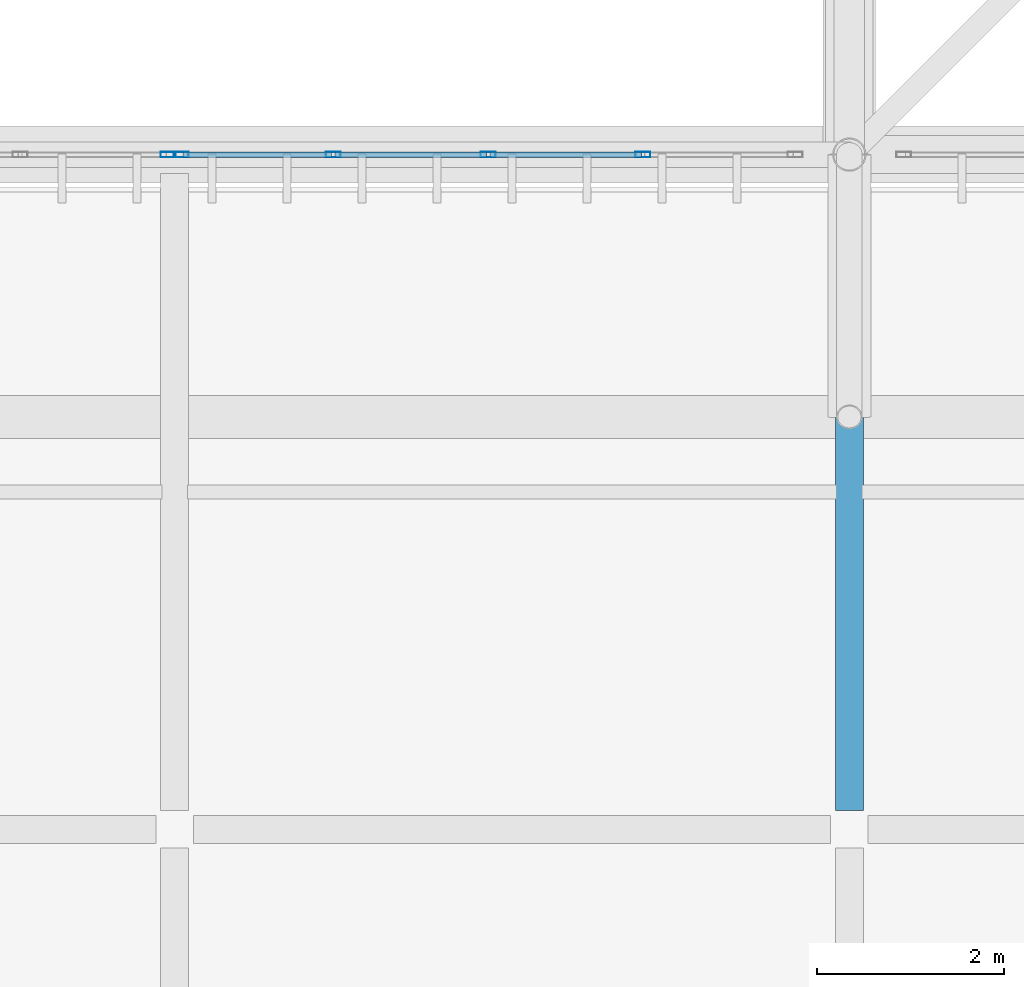
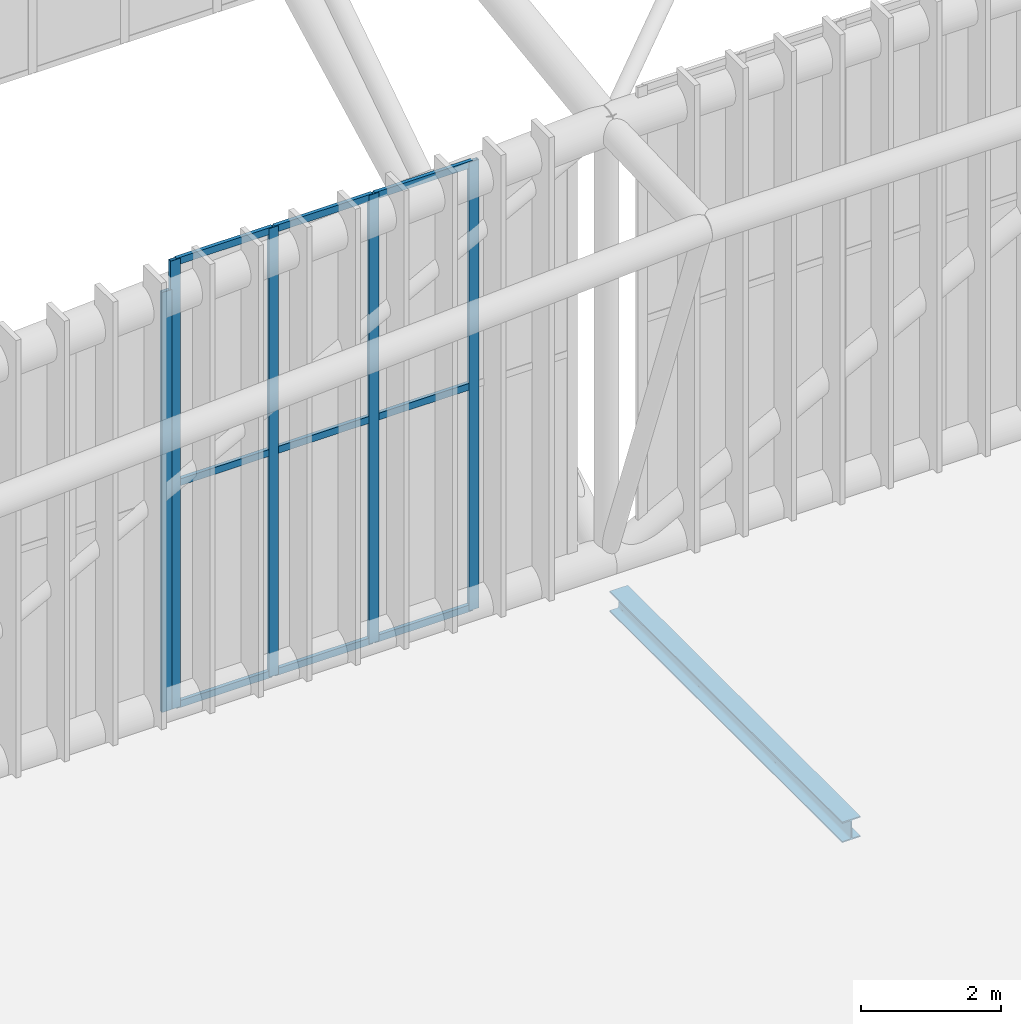
# One storey, part 26 of 397: 14 members, 1 beam, 2 elements without a shape of their own.
"""IFC4 building model written with IfcOpenShell, lengths in metres."""

import ifcopenshell
import ifcopenshell.guid

model = None  # the IFC model being written
_history = None  # IfcOwnerHistory: only IFC2X3 demands one
_inside = {}  # id of a spatial element -> (the spatial element, [elements in it])
_under = {}  # id of a project, library or spatial element -> (it, [spatial elements below it])
_declared = {}  # id of a project -> (the project, [libraries it declares])
_typed = {}  # id of a type object -> (the type object, [elements of that type])
_made_of = {}  # id of a material, layer set ... -> (it, [elements and type objects made of it])


def new_model(schema):
    """Start an empty IFC model of exactly this schema.

    Asked for "IFC4X3", IfcOpenShell would pick the latest addendum, in which some entities
    have other attributes; the version numbers below select the first issue.
    IFC2X3 requires an IfcOwnerHistory on every rooted entity: one is made here for all.
    """
    global model, _history
    if schema == "IFC4X3":
        model = ifcopenshell.file(schema_version=(4, 3, 0, 0))
    else:
        model = ifcopenshell.file(schema=schema)
    _inside.clear()
    _under.clear()
    _declared.clear()
    _typed.clear()
    _made_of.clear()
    _history = None
    if model.schema == "IFC2X3":
        org = make("IfcOrganization", Name="unknown")
        user = make(
            "IfcPersonAndOrganization",
            ThePerson=make("IfcPerson", FamilyName="unknown"),
            TheOrganization=org,
        )
        app = make(
            "IfcApplication",
            ApplicationDeveloper=org,
            Version="unknown",
            ApplicationFullName="unknown",
            ApplicationIdentifier="unknown",
        )
        _history = make(
            "IfcOwnerHistory",
            OwningUser=user,
            OwningApplication=app,
            ChangeAction="ADDED",
            CreationDate=0,
        )
    return model


def make(cls, **values):
    """One entity of the class cls with the attributes given. An attribute that is None is left unset."""
    return model.create_entity(
        cls, **{name: value for name, value in values.items() if value is not None}
    )


def rooted(cls, **values):
    """An entity with a GlobalId (a new one), such as an element, a storey or a relation."""
    return make(cls, GlobalId=ifcopenshell.guid.new(), OwnerHistory=_history, **values)


def si_unit(unit_type, name, prefix=None):
    """IfcSIUnit, for example si_unit("LENGTHUNIT", "METRE", prefix="MILLI")."""
    return make("IfcSIUnit", UnitType=unit_type, Prefix=prefix, Name=name)


def assignment(units):
    """IfcUnitAssignment: the units of a project."""
    return None if units is None else make("IfcUnitAssignment", Units=units)


def point(xyz):
    """IfcCartesianPoint."""
    return None if xyz is None else make("IfcCartesianPoint", Coordinates=xyz)


def direction(xyz):
    """IfcDirection."""
    return None if xyz is None else make("IfcDirection", DirectionRatios=xyz)


def frame(location, z_axis=None, x_axis=None):
    """IfcAxis2Placement3D, a coordinate frame: its origin and axes. An axis left out is left unset."""
    return make(
        "IfcAxis2Placement3D",
        Location=point(location),
        Axis=direction(z_axis),
        RefDirection=direction(x_axis),
    )


def frame_2d(location, x_axis=None):
    """IfcAxis2Placement2D, a coordinate frame in the plane: its origin and x axis."""
    return make(
        "IfcAxis2Placement2D", Location=point(location), RefDirection=direction(x_axis)
    )


def origin():
    """The frame at (0, 0, 0) with its axes left unset."""
    return frame((0.0, 0.0, 0.0))


def origin_2d():
    """The frame at (0, 0) in the plane with its x axis left unset."""
    return frame_2d((0.0, 0.0))


def place(relative_to, where):
    """IfcLocalPlacement: puts the frame where relative to a parent placement (None: the world)."""
    return make(
        "IfcLocalPlacement", PlacementRelTo=relative_to, RelativePlacement=where
    )


def context(
    kind, dimensions, precision=None, world=None, true_north=None, identifier=None
):
    """IfcGeometricRepresentationContext, for example the 3D "Model" context."""
    return make(
        "IfcGeometricRepresentationContext",
        ContextIdentifier=identifier,
        ContextType=kind,
        CoordinateSpaceDimension=dimensions,
        Precision=precision,
        WorldCoordinateSystem=world,
        TrueNorth=true_north,
    )


def subcontext(parent, identifier, kind, view, scale=None):
    """IfcGeometricRepresentationSubContext, for example "Body" below "Model"."""
    return make(
        "IfcGeometricRepresentationSubContext",
        ContextIdentifier=identifier,
        ContextType=kind,
        ParentContext=parent,
        TargetScale=scale,
        TargetView=view,
    )


def project(units=None, contexts=None):
    """IfcProject with its units and contexts."""
    return rooted(
        "IfcProject",
        Name="project",
        RepresentationContexts=contexts,
        UnitsInContext=assignment(units),
    )


def spatial(cls, under=None, at=None, **own):
    """A site, building, storey or space (cls), placed at a placement, below another one or the project."""
    s = rooted(cls, ObjectPlacement=at, **own)
    if under is not None:
        _under.setdefault(under.id(), (under, []))[1].append(s)
    return s


def profile(cls, at=None, kind="AREA", **sizes):
    """A parametric profile (cls). Its sizes go by their IFC names, for example OverallWidth=200.0."""
    return make(cls, ProfileType=kind, Position=at, **sizes)


def hollow_rectangle(**sizes):
    """IfcRectangleHollowProfileDef."""
    return profile("IfcRectangleHollowProfileDef", **sizes)


def i_section(**sizes):
    """IfcIShapeProfileDef."""
    return profile("IfcIShapeProfileDef", **sizes)


def extrude(swept, where, along, depth):
    """IfcExtrudedAreaSolid: the profile swept, set in the frame where, extruded along a direction by depth."""
    return make(
        "IfcExtrudedAreaSolid",
        SweptArea=swept,
        Position=where,
        ExtrudedDirection=direction(along),
        Depth=depth,
    )


def shape(context_of_items, identifier, shape_type, items):
    """IfcShapeRepresentation: the items that make up one representation, for example the "Body"."""
    return make(
        "IfcShapeRepresentation",
        ContextOfItems=context_of_items,
        RepresentationIdentifier=identifier,
        RepresentationType=shape_type,
        Items=items,
    )


def material(Name=None, Category=None):
    """IfcMaterial."""
    return make("IfcMaterial", Name=Name, Category=Category)


def material_profile(
    of_material, cross_section, Name=None, Category=None, Priority=None
):
    """IfcMaterialProfile: a cross section and its material."""
    return make(
        "IfcMaterialProfile",
        Name=Name,
        Material=of_material,
        Profile=cross_section,
        Priority=Priority,
        Category=Category,
    )


def profile_set(profiles, Name=None, composite=None):
    """IfcMaterialProfileSet."""
    return make(
        "IfcMaterialProfileSet",
        Name=Name,
        MaterialProfiles=profiles,
        CompositeProfile=composite,
    )


def made_of(thing, what):
    """Note that an element or type object is made of a material, layer set ...; save() writes the relation."""
    if what is not None:
        _made_of.setdefault(what.id(), (what, []))[1].append(thing)
    return thing


def type_object(cls, material=None, **own):
    """A type object (cls), such as IfcWallType, which elements share."""
    return made_of(rooted(cls, **own), material)


def element(
    cls,
    number,
    at=None,
    inside=None,
    cuts=None,
    type_object=None,
    material=None,
    context=None,
    identifier="Body",
    shape_type=None,
    held_by="IfcProductDefinitionShape",
    body=None,
    shapes=None,
    **own,
):
    """One element of the class cls, such as IfcWall. Its Tag is "e" and its number.

    at: its placement. inside: the storey or other place that contains it. cuts: it is an
    opening in that element (IfcRelVoidsElement). A single representation is given by context,
    identifier, shape_type and body (its items); several are given by shapes. held_by: the class
    of the entity that holds the representations. save() writes the other relations.
    """
    e = rooted(cls, Tag="e%d" % number, ObjectPlacement=at, **own)
    if body is not None:
        shapes = [shape(context, identifier, shape_type, body)]
    if shapes is not None:
        e.Representation = make(held_by, Representations=shapes)
    if inside is not None:
        _inside.setdefault(inside.id(), (inside, []))[1].append(e)
    if cuts is not None:
        rooted(
            "IfcRelVoidsElement", RelatingBuildingElement=cuts, RelatedOpeningElement=e
        )
    if type_object is not None:
        _typed.setdefault(type_object.id(), (type_object, []))[1].append(e)
    return made_of(e, material)


def aggregate(whole, parts):
    """IfcRelAggregates: a whole, such as a stair, and the parts it consists of."""
    return rooted("IfcRelAggregates", RelatingObject=whole, RelatedObjects=parts)


def save(model, path):
    """Write the relations noted so far, then the file.

    IfcRelAggregates (storeys below a building ...), IfcRelContainedInSpatialStructure (elements
    in a storey), IfcRelDefinesByType, IfcRelAssociatesMaterial and IfcRelDeclares: one each for
    every whole, place, type object, material and project.
    """
    for whole, parts in _under.values():
        aggregate(whole, parts)
    for where, things in _inside.values():
        rooted(
            "IfcRelContainedInSpatialStructure",
            RelatedElements=things,
            RelatingStructure=where,
        )
    for kind, things in _typed.values():
        rooted("IfcRelDefinesByType", RelatedObjects=things, RelatingType=kind)
    for what, things in _made_of.values():
        rooted("IfcRelAssociatesMaterial", RelatedObjects=things, RelatingMaterial=what)
    for by, libraries in _declared.values():
        rooted("IfcRelDeclares", RelatingContext=by, RelatedDefinitions=libraries)
    model.write(path)


model = new_model("IFC4")

# Units and contexts
model_context = context("Model", 3, precision=1e-05, world=origin(), true_north=direction((0.0, 1.0)))
body_context = subcontext(model_context, "Body", "Model", "MODEL_VIEW")
ifc_project = project(units=[si_unit("LENGTHUNIT", "METRE"), si_unit("AREAUNIT", "SQUARE_METRE"), si_unit("VOLUMEUNIT", "CUBIC_METRE"), si_unit("PLANEANGLEUNIT", "RADIAN"), si_unit("MASSUNIT", "GRAM", prefix="KILO")], contexts=[model_context])

# Site, building, storey
site_placement = place(None, origin())
site = spatial("IfcSite", under=ifc_project, at=site_placement, CompositionType="ELEMENT")
building_placement = place(site_placement, origin())
building = spatial("IfcBuilding", under=site, at=building_placement, Name="Qandorah Velis Arena", CompositionType="ELEMENT")
storey_placement = place(building_placement, frame((0.0, 0.0, 27.5)))
storey = spatial("IfcBuildingStorey", under=building, at=storey_placement, Name="RF", CompositionType="ELEMENT", Elevation=27.5)

# Curtain wall, member
ifc_material_1 = material(Name="Solar-control low-E double glazing", Category="glass")
curtain_wall_type_1 = type_object("IfcCurtainWallType", Name="ARC-CW-SYS19", PredefinedType="USERDEFINED", material=ifc_material_1)
curtain_wall_1_placement = place(storey_placement, origin())
curtain_wall_1 = element("IfcCurtainWall", 1, at=curtain_wall_1_placement, inside=storey, type_object=curtain_wall_type_1, Name="Unitised curtain wall CROWN-3-03S1", ObjectType="UNITISED CURTAIN WALL", PredefinedType="USERDEFINED")
ifc_material_2 = material(Name="Champagne-bronze anodized aluminium 6063-T6", Category="aluminium")
ifc_material_profile_1 = material_profile(ifc_material_2, hollow_rectangle(XDim=0.06005859375, YDim=0.159912109375, WallThickness=0.00341796875, at=origin_2d()), Name="ALU MULLION 60x160")
ifc_profile_set_1 = profile_set([ifc_material_profile_1], Name="Champagne-bronze anodized aluminium 6063-T6")
member_type_1 = type_object("IfcMemberType", Name="ARC-CWM-160", PredefinedType="MULLION", material=ifc_profile_set_1)
member_1_placement = place(storey_placement, frame((50.330078125, 14.39990234375, -0.014892578125), z_axis=(0.0, 0.0, 1.0), x_axis=(0.0, 1.0, 0.0)))
member_1 = element("IfcMember", 2, at=member_1_placement, type_object=member_type_1, Name="CW19 mullion 5", PredefinedType="MULLION", context=body_context, shape_type="SweptSolid", body=[
    extrude(hollow_rectangle(XDim=0.06005859375, YDim=0.159912109375, WallThickness=0.00341796875, at=origin_2d()), origin(), (0.0, 0.0, 1.0), 7.32958984375),
])
aggregate(curtain_wall_1, [member_1])

# Curtain wall, members
curtain_wall_type_2 = type_object("IfcCurtainWallType", Name="ARC-CW-SYS20", PredefinedType="USERDEFINED", material=ifc_material_1)
curtain_wall_2_placement = place(storey_placement, origin())
curtain_wall_2 = element("IfcCurtainWall", 3, at=curtain_wall_2_placement, inside=storey, type_object=curtain_wall_type_2, Name="Unitised curtain wall CROWN-3-03S2", ObjectType="UNITISED CURTAIN WALL", PredefinedType="USERDEFINED")
member_2_placement = place(storey_placement, frame((50.469970703125, 14.39990234375, -0.014892578125), z_axis=(0.0, 0.0, 1.0), x_axis=(0.0, 1.0, 0.0)))
member_2 = element("IfcMember", 4, at=member_2_placement, type_object=member_type_1, Name="CW20 mullion 1", PredefinedType="MULLION", context=body_context, shape_type="SweptSolid", body=[
    extrude(hollow_rectangle(XDim=0.06005859375, YDim=0.159912109375, WallThickness=0.00341796875, at=origin_2d()), origin(), (0.0, 0.0, 1.0), 7.826416015625),
])
member_3_placement = place(storey_placement, frame((52.092529296875, 14.39990234375, -0.014892578125), z_axis=(0.0, 0.0, 1.0), x_axis=(0.0, 1.0, 0.0)))
member_3 = element("IfcMember", 5, at=member_3_placement, type_object=member_type_1, Name="CW20 mullion 2", PredefinedType="MULLION", context=body_context, shape_type="SweptSolid", body=[
    extrude(hollow_rectangle(XDim=0.06005859375, YDim=0.159912109375, WallThickness=0.00341796875, at=origin_2d()), origin(), (0.0, 0.0, 1.0), 7.826416015625),
])
member_4_placement = place(storey_placement, frame((53.7451171875, 14.39990234375, -0.014892578125), z_axis=(0.0, 0.0, 1.0), x_axis=(0.0, 1.0, 0.0)))
member_4 = element("IfcMember", 6, at=member_4_placement, type_object=member_type_1, Name="CW20 mullion 3", PredefinedType="MULLION", context=body_context, shape_type="SweptSolid", body=[
    extrude(hollow_rectangle(XDim=0.06005859375, YDim=0.159912109375, WallThickness=0.00341796875, at=origin_2d()), origin(), (0.0, 0.0, 1.0), 7.826416015625),
])
member_5_placement = place(storey_placement, frame((55.3974609375, 14.39990234375, -0.014892578125), z_axis=(0.0, 0.0, 1.0), x_axis=(0.0, 1.0, 0.0)))
member_5 = element("IfcMember", 7, at=member_5_placement, type_object=member_type_1, Name="CW20 mullion 4", PredefinedType="MULLION", context=body_context, shape_type="SweptSolid", body=[
    extrude(hollow_rectangle(XDim=0.06005859375, YDim=0.159912109375, WallThickness=0.00341796875, at=origin_2d()), origin(), (0.0, 0.0, 1.0), 7.826416015625),
])
ifc_material_profile_2 = material_profile(ifc_material_2, hollow_rectangle(XDim=0.06005859375, YDim=0.1201171875, WallThickness=0.0029296875, at=origin_2d()), Name="ALU TRANSOM 60x120")
ifc_profile_set_2 = profile_set([ifc_material_profile_2], Name="Champagne-bronze anodized aluminium 6063-T6")
member_type_2 = type_object("IfcMemberType", Name="ARC-CWT-120", PredefinedType="USERDEFINED", material=ifc_profile_set_2)
member_6_placement = place(storey_placement, frame((50.488037109375, 14.39990234375, 0.030029296875), z_axis=(1.0, 0.0, 0.0), x_axis=(0.0, 1.0, 0.0)))
member_6 = element("IfcMember", 8, at=member_6_placement, type_object=member_type_2, Name="CW20 transom 1.1", ObjectType="TRANSOM", PredefinedType="USERDEFINED", context=body_context, shape_type="SweptSolid", body=[
    extrude(hollow_rectangle(XDim=0.06005859375, YDim=0.1201171875, WallThickness=0.0029296875, at=origin_2d()), origin(), (0.0, 0.0, 1.0), 1.58642578125),
])
member_7_placement = place(storey_placement, frame((50.488037109375, 14.39990234375, 3.898193359375), z_axis=(1.0, 0.0, 0.0), x_axis=(0.0, 1.0, 0.0)))
member_7 = element("IfcMember", 9, at=member_7_placement, type_object=member_type_2, Name="CW20 transom 1.2", ObjectType="TRANSOM", PredefinedType="USERDEFINED", context=body_context, shape_type="SweptSolid", body=[
    extrude(hollow_rectangle(XDim=0.06005859375, YDim=0.1201171875, WallThickness=0.0029296875, at=origin_2d()), origin(), (0.0, 0.0, 1.0), 1.58642578125),
])
member_8_placement = place(storey_placement, frame((50.488037109375, 14.39990234375, 7.7666015625), z_axis=(1.0, 0.0, 0.0), x_axis=(0.0, 1.0, 0.0)))
member_8 = element("IfcMember", 10, at=member_8_placement, type_object=member_type_2, Name="CW20 transom 1.3", ObjectType="TRANSOM", PredefinedType="USERDEFINED", context=body_context, shape_type="SweptSolid", body=[
    extrude(hollow_rectangle(XDim=0.06005859375, YDim=0.1201171875, WallThickness=0.0029296875, at=origin_2d()), origin(), (0.0, 0.0, 1.0), 1.58642578125),
])
member_9_placement = place(storey_placement, frame((52.110595703125, 14.39990234375, 0.030029296875), z_axis=(1.0, 0.0, 0.0), x_axis=(0.0, 1.0, 0.0)))
member_9 = element("IfcMember", 11, at=member_9_placement, type_object=member_type_2, Name="CW20 transom 2.1", ObjectType="TRANSOM", PredefinedType="USERDEFINED", context=body_context, shape_type="SweptSolid", body=[
    extrude(hollow_rectangle(XDim=0.06005859375, YDim=0.1201171875, WallThickness=0.0029296875, at=origin_2d()), origin(), (0.0, 0.0, 1.0), 1.616455078125),
])
member_10_placement = place(storey_placement, frame((52.110595703125, 14.39990234375, 3.898193359375), z_axis=(1.0, 0.0, 0.0), x_axis=(0.0, 1.0, 0.0)))
member_10 = element("IfcMember", 12, at=member_10_placement, type_object=member_type_2, Name="CW20 transom 2.2", ObjectType="TRANSOM", PredefinedType="USERDEFINED", context=body_context, shape_type="SweptSolid", body=[
    extrude(hollow_rectangle(XDim=0.06005859375, YDim=0.1201171875, WallThickness=0.0029296875, at=origin_2d()), origin(), (0.0, 0.0, 1.0), 1.616455078125),
])
member_11_placement = place(storey_placement, frame((52.110595703125, 14.39990234375, 7.7666015625), z_axis=(1.0, 0.0, 0.0), x_axis=(0.0, 1.0, 0.0)))
member_11 = element("IfcMember", 13, at=member_11_placement, type_object=member_type_2, Name="CW20 transom 2.3", ObjectType="TRANSOM", PredefinedType="USERDEFINED", context=body_context, shape_type="SweptSolid", body=[
    extrude(hollow_rectangle(XDim=0.06005859375, YDim=0.1201171875, WallThickness=0.0029296875, at=origin_2d()), origin(), (0.0, 0.0, 1.0), 1.616455078125),
])
member_12_placement = place(storey_placement, frame((53.762939453125, 14.39990234375, 0.030029296875), z_axis=(1.0, 0.0, 0.0), x_axis=(0.0, 1.0, 0.0)))
member_12 = element("IfcMember", 14, at=member_12_placement, type_object=member_type_2, Name="CW20 transom 3.1", ObjectType="TRANSOM", PredefinedType="USERDEFINED", context=body_context, shape_type="SweptSolid", body=[
    extrude(hollow_rectangle(XDim=0.06005859375, YDim=0.1201171875, WallThickness=0.0029296875, at=origin_2d()), origin(), (0.0, 0.0, 1.0), 1.616455078125),
])
member_13_placement = place(storey_placement, frame((53.762939453125, 14.39990234375, 3.898193359375), z_axis=(1.0, 0.0, 0.0), x_axis=(0.0, 1.0, 0.0)))
member_13 = element("IfcMember", 15, at=member_13_placement, type_object=member_type_2, Name="CW20 transom 3.2", ObjectType="TRANSOM", PredefinedType="USERDEFINED", context=body_context, shape_type="SweptSolid", body=[
    extrude(hollow_rectangle(XDim=0.06005859375, YDim=0.1201171875, WallThickness=0.0029296875, at=origin_2d()), origin(), (0.0, 0.0, 1.0), 1.616455078125),
])
member_14_placement = place(storey_placement, frame((53.762939453125, 14.39990234375, 7.7666015625), z_axis=(1.0, 0.0, 0.0), x_axis=(0.0, 1.0, 0.0)))
member_14 = element("IfcMember", 16, at=member_14_placement, type_object=member_type_2, Name="CW20 transom 3.3", ObjectType="TRANSOM", PredefinedType="USERDEFINED", context=body_context, shape_type="SweptSolid", body=[
    extrude(hollow_rectangle(XDim=0.06005859375, YDim=0.1201171875, WallThickness=0.0029296875, at=origin_2d()), origin(), (0.0, 0.0, 1.0), 1.616455078125),
])
aggregate(curtain_wall_2, [member_2, member_3, member_4, member_5, member_6, member_7, member_8, member_9, member_10, member_11, member_12, member_13, member_14])

# Beam
ifc_material_3 = material(Name="Steel S355", Category="steel")
ifc_material_profile_3 = material_profile(ifc_material_3, i_section(OverallWidth=0.300048828125, OverallDepth=0.360107421875, WebThickness=0.012451171875, FlangeThickness=0.0224609375, FilletRadius=0.027099609375, at=origin_2d()), Name="HEB 360")
ifc_profile_set_3 = profile_set([ifc_material_profile_3], Name="Steel S355")
beam_type = type_object("IfcBeamType", Name="STR-BM-HEB360", PredefinedType="BEAM", material=ifc_profile_set_3)
beam_placement = place(storey_placement, frame((57.60009765625, 7.39990234375, -0.39990234375), z_axis=(0.0, 1.0, 0.0), x_axis=(-1.0, 0.0, 0.0)))
element("IfcBeam", 17, at=beam_placement, inside=storey, type_object=beam_type, Name="Primary floor girder RF Y-104", PredefinedType="BEAM", context=body_context, shape_type="SweptSolid", body=[
    extrude(i_section(OverallWidth=0.300048828125, OverallDepth=0.360107421875, WebThickness=0.012451171875, FlangeThickness=0.0224609375, FilletRadius=0.027099609375, at=origin_2d()), origin(), (0.0, 0.0, 1.0), 6.650146484375),
])

save(model, "model.ifc")
